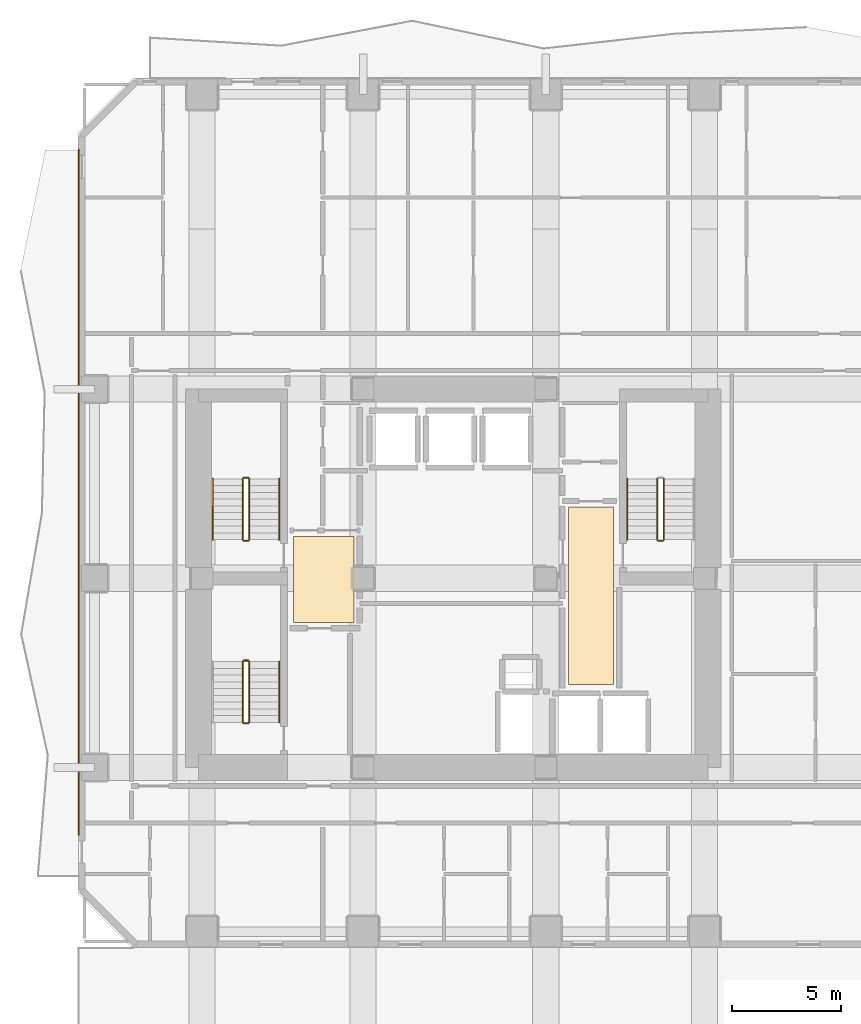
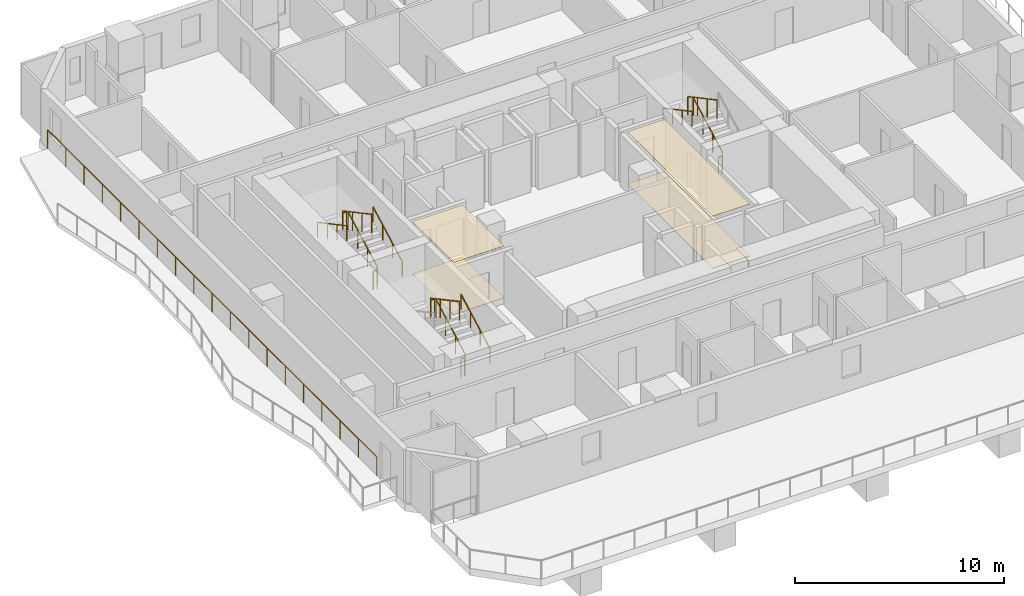
# One storey, part 9 of 11: 16 railings, 4 coverings.
"""IFC4 building model written with IfcOpenShell, lengths in metres."""

from ifc_helpers import new_model, si_unit, direction, frame, origin, origin_2d, place, context, subcontext, project, spatial, polyline, rectangle, outline, extrude, material, layer, layer_set, type_object, element, save


model = new_model("IFC4")

# Units and contexts
model_context = context("Model", 3, precision=1e-05, world=origin(), true_north=direction((0.0, 1.0)))
body_context = subcontext(model_context, "Body", "Model", "MODEL_VIEW")
ifc_project = project(units=[si_unit("LENGTHUNIT", "METRE"), si_unit("AREAUNIT", "SQUARE_METRE"), si_unit("VOLUMEUNIT", "CUBIC_METRE"), si_unit("PLANEANGLEUNIT", "RADIAN"), si_unit("MASSUNIT", "GRAM", prefix="KILO")], contexts=[model_context])

# Site, building, storey
site_placement = place(None, origin())
site = spatial("IfcSite", under=ifc_project, at=site_placement, CompositionType="ELEMENT")
building_placement = place(site_placement, origin())
building = spatial("IfcBuilding", under=site, at=building_placement, Name="Solanera Arch Residences", CompositionType="ELEMENT")
storey_placement = place(building_placement, frame((0.0, 0.0, 61.840087890625)))
storey = spatial("IfcBuildingStorey", under=building, at=storey_placement, Name="L17", CompositionType="ELEMENT", Elevation=61.840087890625)

# Railing
ifc_material_1 = material(Name="Steel S355 (ASTM A992 / A572 Grade 50)", Category="steel")
railing_type_1 = type_object("IfcRailingType", Name="Balustrade Railing BL-1100", PredefinedType="BALUSTRADE", material=ifc_material_1)
railing_1_placement = place(storey_placement, frame((7.719970703125, 18.916015625, 0.0)))
element("IfcRailing", 1, at=railing_1_placement, inside=storey, type_object=railing_type_1, Name="L17 W Balcony Balustrade 2", PredefinedType="BALUSTRADE", context=body_context, shape_type="SweptSolid", body=[
    extrude(rectangle(XDim=0.048095703125, YDim=0.048095703125, at=origin_2d()), frame((0.0, 0.0, 1.09619140625), z_axis=(0.0, 1.0, 0.0), x_axis=(-1.0, 0.0, 0.0)), (0.0, 0.0, 1.0), 31.48388671875),
    extrude(rectangle(XDim=0.0419921875, YDim=0.0419921875, at=origin_2d()), origin(), (0.0, 0.0, 1.0), 1.072021484375),
    extrude(rectangle(XDim=0.0419921875, YDim=0.0419921875, at=origin_2d()), frame((0.0, 1.7490234375, 0.0)), (0.0, 0.0, 1.0), 1.072021484375),
    extrude(rectangle(XDim=0.0419921875, YDim=0.0419921875, at=origin_2d()), frame((0.0, 3.498291015625, 0.0)), (0.0, 0.0, 1.0), 1.072021484375),
    extrude(rectangle(XDim=0.0419921875, YDim=0.0419921875, at=origin_2d()), frame((0.0, 5.247314453125, 0.0)), (0.0, 0.0, 1.0), 1.072021484375),
    extrude(rectangle(XDim=0.0419921875, YDim=0.0419921875, at=origin_2d()), frame((0.0, 6.996337890625, 0.0)), (0.0, 0.0, 1.0), 1.072021484375),
    extrude(rectangle(XDim=0.0419921875, YDim=0.0419921875, at=origin_2d()), frame((0.0, 8.74560546875, 0.0)), (0.0, 0.0, 1.0), 1.072021484375),
    extrude(rectangle(XDim=0.0419921875, YDim=0.0419921875, at=origin_2d()), frame((0.0, 10.49462890625, 0.0)), (0.0, 0.0, 1.0), 1.072021484375),
    extrude(rectangle(XDim=0.0419921875, YDim=0.0419921875, at=origin_2d()), frame((0.0, 12.24365234375, 0.0)), (0.0, 0.0, 1.0), 1.072021484375),
    extrude(rectangle(XDim=0.0419921875, YDim=0.0419921875, at=origin_2d()), frame((0.0, 13.992919921875, 0.0)), (0.0, 0.0, 1.0), 1.072021484375),
    extrude(rectangle(XDim=0.0419921875, YDim=0.0419921875, at=origin_2d()), frame((0.0, 15.741943359375, 0.0)), (0.0, 0.0, 1.0), 1.072021484375),
    extrude(rectangle(XDim=0.0419921875, YDim=0.0419921875, at=origin_2d()), frame((0.0, 17.490966796875, 0.0)), (0.0, 0.0, 1.0), 1.072021484375),
    extrude(rectangle(XDim=0.0419921875, YDim=0.0419921875, at=origin_2d()), frame((0.0, 19.240234375, 0.0)), (0.0, 0.0, 1.0), 1.072021484375),
    extrude(rectangle(XDim=0.0419921875, YDim=0.0419921875, at=origin_2d()), frame((0.0, 20.9892578125, 0.0)), (0.0, 0.0, 1.0), 1.072021484375),
    extrude(rectangle(XDim=0.0419921875, YDim=0.0419921875, at=origin_2d()), frame((0.0, 22.73828125, 0.0)), (0.0, 0.0, 1.0), 1.072021484375),
    extrude(rectangle(XDim=0.0419921875, YDim=0.0419921875, at=origin_2d()), frame((0.0, 24.487548828125, 0.0)), (0.0, 0.0, 1.0), 1.072021484375),
    extrude(rectangle(XDim=0.0419921875, YDim=0.0419921875, at=origin_2d()), frame((0.0, 26.236572265625, 0.0)), (0.0, 0.0, 1.0), 1.072021484375),
    extrude(rectangle(XDim=0.0419921875, YDim=0.0419921875, at=origin_2d()), frame((0.0, 27.985595703125, 0.0)), (0.0, 0.0, 1.0), 1.072021484375),
    extrude(rectangle(XDim=0.0419921875, YDim=0.0419921875, at=origin_2d()), frame((0.0, 29.73486328125, 0.0)), (0.0, 0.0, 1.0), 1.072021484375),
    extrude(rectangle(XDim=0.0419921875, YDim=0.0419921875, at=origin_2d()), frame((0.0, 31.48388671875, 0.0)), (0.0, 0.0, 1.0), 1.072021484375),
])

# Coverings
ifc_material_2 = material(Name="Porcelain Acoustic Floor Tile", Category="ceramic")
ifc_layer_1 = layer(ifc_material_2, 0.02001953125)
ifc_layer_set_1 = layer_set([ifc_layer_1], Name="Porcelain Acoustic Floor Tile")
covering_type_1 = type_object("IfcCoveringType", Name="Porcelain Acoustic Floor Finish FLR-20", PredefinedType="FLOORING", material=ifc_layer_set_1)
covering_1_placement = place(storey_placement, origin())
element("IfcCovering", 2, at=covering_1_placement, inside=storey, type_object=covering_type_1, Name="L17-FFL-W Porcelain Floor Finish", PredefinedType="FLOORING", context=body_context, shape_type="SweptSolid", body=[
    extrude(outline(polyline([(20.375, 28.675048828125), (17.594970703125, 28.675048828125), (17.594970703125, 32.625), (20.375, 32.625), (20.375, 28.675048828125)])), origin(), (0.0, 0.0, 1.0), 0.02001953125),
])
covering_2_placement = place(storey_placement, origin())
element("IfcCovering", 3, at=covering_2_placement, inside=storey, type_object=covering_type_1, Name="L17-FFL-E Porcelain Floor Finish", PredefinedType="FLOORING", context=body_context, shape_type="SweptSolid", body=[
    extrude(outline(polyline([(32.304931640625, 25.824951171875), (30.25, 25.824951171875), (30.25, 33.97509765625), (32.304931640625, 33.97509765625), (32.304931640625, 25.824951171875)])), origin(), (0.0, 0.0, 1.0), 0.02001953125),
])

# Railings
ifc_material_3 = material(Name="Steel S355 (ASTM A992 / A572 Grade 50)", Category="steel")
railing_type_2 = type_object("IfcRailingType", Name="Stair Guardrail GR-1100", PredefinedType="GUARDRAIL", material=ifc_material_3)
railing_2_placement = place(storey_placement, frame((15.570068359375, 32.47998046875, 0.15087890625)))
element("IfcRailing", 4, at=railing_2_placement, inside=storey, type_object=railing_type_2, Name="L17 ST-T1 stair guard 1", PredefinedType="GUARDRAIL", context=body_context, shape_type="SweptSolid", body=[
    extrude(rectangle(XDim=0.048095703125, YDim=0.048095703125, at=origin_2d()), frame((0.0, 0.0, 1.076171875), z_axis=(0.0, 0.881548766853, 0.472092969298), x_axis=(-1.0, 0.0, 0.0)), (0.0, 0.0, 1.0), 3.1650390625),
    extrude(rectangle(XDim=0.0419921875, YDim=0.0419921875, at=origin_2d()), origin(), (0.0, 0.0, 1.0), 1.052001953125),
    extrude(rectangle(XDim=0.0419921875, YDim=0.0419921875, at=origin_2d()), frame((0.0, 0.929931640625, 0.498046875)), (0.0, 0.0, 1.0), 1.052001953125),
    extrude(rectangle(XDim=0.0419921875, YDim=0.0419921875, at=origin_2d()), frame((0.0, 1.860107421875, 0.99609375)), (0.0, 0.0, 1.0), 1.052001953125),
    extrude(rectangle(XDim=0.0419921875, YDim=0.0419921875, at=origin_2d()), frame((0.0, 2.7900390625, 1.494140625)), (0.0, 0.0, 1.0), 1.052001953125),
])
railing_3_placement = place(storey_placement, frame((15.52001953125, 35.320068359375, 1.64501953125)))
element("IfcRailing", 5, at=railing_3_placement, inside=storey, type_object=railing_type_2, Name="L17 ST-T1 stair guard 2", PredefinedType="GUARDRAIL", context=body_context, shape_type="SweptSolid", body=[
    extrude(rectangle(XDim=0.048095703125, YDim=0.048095703125, at=origin_2d()), frame((0.0, 0.0, 1.076171875), z_axis=(-1.0, 0.0, 0.0), x_axis=(0.0, -1.0, 0.0)), (0.0, 0.0, 1.0), 0.199951171875),
    extrude(rectangle(XDim=0.0419921875, YDim=0.0419921875, at=origin_2d()), origin(), (0.0, 0.0, 1.0), 1.052001953125),
    extrude(rectangle(XDim=0.0419921875, YDim=0.0419921875, at=origin_2d()), frame((-0.199951171875, 0.0, 0.0)), (0.0, 0.0, 1.0), 1.052001953125),
])
railing_4_placement = place(storey_placement, frame((15.27001953125, 35.27001953125, 1.810791015625)))
element("IfcRailing", 6, at=railing_4_placement, inside=storey, type_object=railing_type_2, Name="L17 ST-T1 stair guard 3", PredefinedType="GUARDRAIL", context=body_context, shape_type="SweptSolid", body=[
    extrude(rectangle(XDim=0.048095703125, YDim=0.048095703125, at=origin_2d()), frame((0.0, 0.0, 1.076171875), z_axis=(0.0, -0.881548766853, 0.472092969298), x_axis=(1.0, 0.0, 0.0)), (0.0, 0.0, 1.0), 3.1650390625),
    extrude(rectangle(XDim=0.0419921875, YDim=0.0419921875, at=origin_2d()), origin(), (0.0, 0.0, 1.0), 1.052001953125),
    extrude(rectangle(XDim=0.0419921875, YDim=0.0419921875, at=origin_2d()), frame((0.0, -0.929931640625, 0.498046875)), (0.0, 0.0, 1.0), 1.052001953125),
    extrude(rectangle(XDim=0.0419921875, YDim=0.0419921875, at=origin_2d()), frame((0.0, -1.860107421875, 0.99609375)), (0.0, 0.0, 1.0), 1.052001953125),
    extrude(rectangle(XDim=0.0419921875, YDim=0.0419921875, at=origin_2d()), frame((0.0, -2.7900390625, 1.494140625)), (0.0, 0.0, 1.0), 1.052001953125),
])
railing_5_placement = place(storey_placement, frame((15.52001953125, 32.429931640625, -0.01513671875)))
element("IfcRailing", 7, at=railing_5_placement, inside=storey, type_object=railing_type_2, Name="L17 ST-T1 stair guard 4", PredefinedType="GUARDRAIL", context=body_context, shape_type="SweptSolid", body=[
    extrude(rectangle(XDim=0.048095703125, YDim=0.048095703125, at=origin_2d()), frame((0.0, 0.0, 1.076171875), z_axis=(-1.0, 0.0, 0.0), x_axis=(0.0, -1.0, 0.0)), (0.0, 0.0, 1.0), 0.199951171875),
    extrude(rectangle(XDim=0.0419921875, YDim=0.0419921875, at=origin_2d()), origin(), (0.0, 0.0, 1.0), 1.052001953125),
    extrude(rectangle(XDim=0.0419921875, YDim=0.0419921875, at=origin_2d()), frame((-0.199951171875, 0.0, 0.0)), (0.0, 0.0, 1.0), 1.052001953125),
])
railing_6_placement = place(storey_placement, frame((34.6298828125, 32.47998046875, 0.15087890625)))
element("IfcRailing", 8, at=railing_6_placement, inside=storey, type_object=railing_type_2, Name="L17 ST-T2 stair guard 1", PredefinedType="GUARDRAIL", context=body_context, shape_type="SweptSolid", body=[
    extrude(rectangle(XDim=0.048095703125, YDim=0.048095703125, at=origin_2d()), frame((0.0, 0.0, 1.076171875), z_axis=(0.0, 0.881548766853, 0.472092969298), x_axis=(-1.0, 0.0, 0.0)), (0.0, 0.0, 1.0), 3.1650390625),
    extrude(rectangle(XDim=0.0419921875, YDim=0.0419921875, at=origin_2d()), origin(), (0.0, 0.0, 1.0), 1.052001953125),
    extrude(rectangle(XDim=0.0419921875, YDim=0.0419921875, at=origin_2d()), frame((0.0, 0.929931640625, 0.498046875)), (0.0, 0.0, 1.0), 1.052001953125),
    extrude(rectangle(XDim=0.0419921875, YDim=0.0419921875, at=origin_2d()), frame((0.0, 1.860107421875, 0.99609375)), (0.0, 0.0, 1.0), 1.052001953125),
    extrude(rectangle(XDim=0.0419921875, YDim=0.0419921875, at=origin_2d()), frame((0.0, 2.7900390625, 1.494140625)), (0.0, 0.0, 1.0), 1.052001953125),
])
railing_7_placement = place(storey_placement, frame((34.330078125, 35.27001953125, 1.810791015625)))
element("IfcRailing", 9, at=railing_7_placement, inside=storey, type_object=railing_type_2, Name="L17 ST-T2 stair guard 3", PredefinedType="GUARDRAIL", context=body_context, shape_type="SweptSolid", body=[
    extrude(rectangle(XDim=0.048095703125, YDim=0.048095703125, at=origin_2d()), frame((0.0, 0.0, 1.076171875), z_axis=(0.0, -0.881548766853, 0.472092969298), x_axis=(1.0, 0.0, 0.0)), (0.0, 0.0, 1.0), 3.1650390625),
    extrude(rectangle(XDim=0.0419921875, YDim=0.0419921875, at=origin_2d()), origin(), (0.0, 0.0, 1.0), 1.052001953125),
    extrude(rectangle(XDim=0.0419921875, YDim=0.0419921875, at=origin_2d()), frame((0.0, -0.929931640625, 0.498046875)), (0.0, 0.0, 1.0), 1.052001953125),
    extrude(rectangle(XDim=0.0419921875, YDim=0.0419921875, at=origin_2d()), frame((0.0, -1.860107421875, 0.99609375)), (0.0, 0.0, 1.0), 1.052001953125),
    extrude(rectangle(XDim=0.0419921875, YDim=0.0419921875, at=origin_2d()), frame((0.0, -2.7900390625, 1.494140625)), (0.0, 0.0, 1.0), 1.052001953125),
])
railing_8_placement = place(storey_placement, frame((34.580078125, 32.429931640625, -0.01513671875)))
element("IfcRailing", 10, at=railing_8_placement, inside=storey, type_object=railing_type_2, Name="L17 ST-T2 stair guard 4", PredefinedType="GUARDRAIL", context=body_context, shape_type="SweptSolid", body=[
    extrude(rectangle(XDim=0.048095703125, YDim=0.048095703125, at=origin_2d()), frame((0.0, 0.0, 1.076171875), z_axis=(-1.0, 0.0, 0.0), x_axis=(0.0, -1.0, 0.0)), (0.0, 0.0, 1.0), 0.2001953125),
    extrude(rectangle(XDim=0.0419921875, YDim=0.0419921875, at=origin_2d()), origin(), (0.0, 0.0, 1.0), 1.052001953125),
    extrude(rectangle(XDim=0.0419921875, YDim=0.0419921875, at=origin_2d()), frame((-0.2001953125, 0.0, 0.0)), (0.0, 0.0, 1.0), 1.052001953125),
])
railing_9_placement = place(storey_placement, frame((15.570068359375, 24.080078125, 0.15087890625)))
element("IfcRailing", 11, at=railing_9_placement, inside=storey, type_object=railing_type_2, Name="L17 ST-T3 stair guard 1", PredefinedType="GUARDRAIL", context=body_context, shape_type="SweptSolid", body=[
    extrude(rectangle(XDim=0.048095703125, YDim=0.048095703125, at=origin_2d()), frame((0.0, 0.0, 1.076171875), z_axis=(0.0, 0.881548766853, 0.472092969298), x_axis=(-1.0, 0.0, 0.0)), (0.0, 0.0, 1.0), 3.1650390625),
    extrude(rectangle(XDim=0.0419921875, YDim=0.0419921875, at=origin_2d()), origin(), (0.0, 0.0, 1.0), 1.052001953125),
    extrude(rectangle(XDim=0.0419921875, YDim=0.0419921875, at=origin_2d()), frame((0.0, 0.929931640625, 0.498046875)), (0.0, 0.0, 1.0), 1.052001953125),
    extrude(rectangle(XDim=0.0419921875, YDim=0.0419921875, at=origin_2d()), frame((0.0, 1.860107421875, 0.99609375)), (0.0, 0.0, 1.0), 1.052001953125),
    extrude(rectangle(XDim=0.0419921875, YDim=0.0419921875, at=origin_2d()), frame((0.0, 2.7900390625, 1.494140625)), (0.0, 0.0, 1.0), 1.052001953125),
])
railing_10_placement = place(storey_placement, frame((15.52001953125, 26.919921875, 1.64501953125)))
element("IfcRailing", 12, at=railing_10_placement, inside=storey, type_object=railing_type_2, Name="L17 ST-T3 stair guard 2", PredefinedType="GUARDRAIL", context=body_context, shape_type="SweptSolid", body=[
    extrude(rectangle(XDim=0.048095703125, YDim=0.048095703125, at=origin_2d()), frame((0.0, 0.0, 1.076171875), z_axis=(-1.0, 0.0, 0.0), x_axis=(0.0, -1.0, 0.0)), (0.0, 0.0, 1.0), 0.199951171875),
    extrude(rectangle(XDim=0.0419921875, YDim=0.0419921875, at=origin_2d()), origin(), (0.0, 0.0, 1.0), 1.052001953125),
    extrude(rectangle(XDim=0.0419921875, YDim=0.0419921875, at=origin_2d()), frame((-0.199951171875, 0.0, 0.0)), (0.0, 0.0, 1.0), 1.052001953125),
])
railing_11_placement = place(storey_placement, frame((15.27001953125, 26.8701171875, 1.810791015625)))
element("IfcRailing", 13, at=railing_11_placement, inside=storey, type_object=railing_type_2, Name="L17 ST-T3 stair guard 3", PredefinedType="GUARDRAIL", context=body_context, shape_type="SweptSolid", body=[
    extrude(rectangle(XDim=0.048095703125, YDim=0.048095703125, at=origin_2d()), frame((0.0, 0.0, 1.076171875), z_axis=(0.0, -0.881548766853, 0.472092969298), x_axis=(1.0, 0.0, 0.0)), (0.0, 0.0, 1.0), 3.1650390625),
    extrude(rectangle(XDim=0.0419921875, YDim=0.0419921875, at=origin_2d()), origin(), (0.0, 0.0, 1.0), 1.052001953125),
    extrude(rectangle(XDim=0.0419921875, YDim=0.0419921875, at=origin_2d()), frame((0.0, -0.929931640625, 0.498046875)), (0.0, 0.0, 1.0), 1.052001953125),
    extrude(rectangle(XDim=0.0419921875, YDim=0.0419921875, at=origin_2d()), frame((0.0, -1.860107421875, 0.99609375)), (0.0, 0.0, 1.0), 1.052001953125),
    extrude(rectangle(XDim=0.0419921875, YDim=0.0419921875, at=origin_2d()), frame((0.0, -2.7900390625, 1.494140625)), (0.0, 0.0, 1.0), 1.052001953125),
])
railing_12_placement = place(storey_placement, frame((15.52001953125, 24.030029296875, -0.01513671875)))
element("IfcRailing", 14, at=railing_12_placement, inside=storey, type_object=railing_type_2, Name="L17 ST-T3 stair guard 4", PredefinedType="GUARDRAIL", context=body_context, shape_type="SweptSolid", body=[
    extrude(rectangle(XDim=0.048095703125, YDim=0.048095703125, at=origin_2d()), frame((0.0, 0.0, 1.076171875), z_axis=(-1.0, 0.0, 0.0), x_axis=(0.0, -1.0, 0.0)), (0.0, 0.0, 1.0), 0.199951171875),
    extrude(rectangle(XDim=0.0419921875, YDim=0.0419921875, at=origin_2d()), origin(), (0.0, 0.0, 1.0), 1.052001953125),
    extrude(rectangle(XDim=0.0419921875, YDim=0.0419921875, at=origin_2d()), frame((-0.199951171875, 0.0, 0.0)), (0.0, 0.0, 1.0), 1.052001953125),
])
ifc_material_4 = material(Name="Steel S355 (ASTM A992 / A572 Grade 50)", Category="steel")
railing_type_3 = type_object("IfcRailingType", Name="Stair Wall Handrail HR-920", PredefinedType="HANDRAIL", material=ifc_material_4)
railing_13_placement = place(storey_placement, frame((16.949951171875, 32.47998046875, 0.166015625)))
element("IfcRailing", 15, at=railing_13_placement, inside=storey, type_object=railing_type_3, Name="L17 ST-T1 stair handrail 1", PredefinedType="HANDRAIL", context=body_context, shape_type="SweptSolid", body=[
    extrude(rectangle(XDim=0.048095703125, YDim=0.048095703125, at=origin_2d()), frame((0.0, 0.0, 0.8759765625), z_axis=(0.0, 0.881580869306, 0.472033018838), x_axis=(-1.0, 0.0, 0.0)), (0.0, 0.0, 1.0), 3.164794921875),
    extrude(rectangle(XDim=0.0419921875, YDim=0.0419921875, at=origin_2d()), origin(), (0.0, 0.0, 1.0), 0.851806640625),
    extrude(rectangle(XDim=0.0419921875, YDim=0.0419921875, at=origin_2d()), frame((0.0, 0.929931640625, 0.498046875)), (0.0, 0.0, 1.0), 0.851806640625),
    extrude(rectangle(XDim=0.0419921875, YDim=0.0419921875, at=origin_2d()), frame((0.0, 1.860107421875, 0.995849609375)), (0.0, 0.0, 1.0), 0.851806640625),
    extrude(rectangle(XDim=0.0419921875, YDim=0.0419921875, at=origin_2d()), frame((0.0, 2.7900390625, 1.493896484375)), (0.0, 0.0, 1.0), 0.851806640625),
])
for number, where, name in (
    (16, (13.889892578125, 35.27001953125, 1.825927734375), "L17 ST-T1 stair handrail 2"),
    (17, (32.949951171875, 35.27001953125, 1.825927734375), "L17 ST-T2 stair handrail 2"),
):
    element("IfcRailing", number, at=place(storey_placement, frame(where)), inside=storey, type_object=railing_type_3, Name=name, PredefinedType="HANDRAIL", context=body_context, shape_type="SweptSolid", body=[
        extrude(rectangle(XDim=0.048095703125, YDim=0.048095703125, at=origin_2d()), frame((0.0, 0.0, 0.8759765625), z_axis=(0.0, -0.881580869306, 0.472033018838), x_axis=(1.0, 0.0, 0.0)), (0.0, 0.0, 1.0), 3.164794921875),
        extrude(rectangle(XDim=0.0419921875, YDim=0.0419921875, at=origin_2d()), origin(), (0.0, 0.0, 1.0), 0.851806640625),
        extrude(rectangle(XDim=0.0419921875, YDim=0.0419921875, at=origin_2d()), frame((0.0, -0.929931640625, 0.498046875)), (0.0, 0.0, 1.0), 0.851806640625),
        extrude(rectangle(XDim=0.0419921875, YDim=0.0419921875, at=origin_2d()), frame((0.0, -1.860107421875, 0.995849609375)), (0.0, 0.0, 1.0), 0.851806640625),
        extrude(rectangle(XDim=0.0419921875, YDim=0.0419921875, at=origin_2d()), frame((0.0, -2.7900390625, 1.493896484375)), (0.0, 0.0, 1.0), 0.851806640625),
    ])
railing_14_placement = place(storey_placement, frame((16.949951171875, 24.080078125, 0.166015625)))
element("IfcRailing", 18, at=railing_14_placement, inside=storey, type_object=railing_type_3, Name="L17 ST-T3 stair handrail 1", PredefinedType="HANDRAIL", context=body_context, shape_type="SweptSolid", body=[
    extrude(rectangle(XDim=0.048095703125, YDim=0.048095703125, at=origin_2d()), frame((0.0, 0.0, 0.8759765625), z_axis=(0.0, 0.881580869306, 0.472033018838), x_axis=(-1.0, 0.0, 0.0)), (0.0, 0.0, 1.0), 3.164794921875),
    extrude(rectangle(XDim=0.0419921875, YDim=0.0419921875, at=origin_2d()), origin(), (0.0, 0.0, 1.0), 0.851806640625),
    extrude(rectangle(XDim=0.0419921875, YDim=0.0419921875, at=origin_2d()), frame((0.0, 0.929931640625, 0.498046875)), (0.0, 0.0, 1.0), 0.851806640625),
    extrude(rectangle(XDim=0.0419921875, YDim=0.0419921875, at=origin_2d()), frame((0.0, 1.860107421875, 0.995849609375)), (0.0, 0.0, 1.0), 0.851806640625),
    extrude(rectangle(XDim=0.0419921875, YDim=0.0419921875, at=origin_2d()), frame((0.0, 2.7900390625, 1.493896484375)), (0.0, 0.0, 1.0), 0.851806640625),
])

# Coverings
ifc_material_5 = material(Name="Mineral Fibre Acoustic Ceiling Board", Category="gypsum")
ifc_layer_2 = layer(ifc_material_5, 0.02490234375)
ifc_layer_set_2 = layer_set([ifc_layer_2], Name="Mineral Fibre Acoustic Ceiling Board")
covering_type_2 = type_object("IfcCoveringType", Name="Suspended Acoustic Ceiling Board CLG-25", PredefinedType="CEILING", material=ifc_layer_set_2)
covering_3_placement = place(storey_placement, frame((0.0, 0.0, 3.034912109375)))
element("IfcCovering", 19, at=covering_3_placement, inside=storey, type_object=covering_type_2, Name="L17-FFL-W Acoustic Ceiling", PredefinedType="CEILING", context=body_context, shape_type="SweptSolid", body=[
    extrude(outline(polyline([(20.375, 28.675048828125), (17.594970703125, 28.675048828125), (17.594970703125, 32.625), (20.375, 32.625), (20.375, 28.675048828125)])), origin(), (0.0, 0.0, 1.0), 0.02490234375),
])
covering_4_placement = place(storey_placement, frame((0.0, 0.0, 3.034912109375)))
element("IfcCovering", 20, at=covering_4_placement, inside=storey, type_object=covering_type_2, Name="L17-FFL-E Acoustic Ceiling", PredefinedType="CEILING", context=body_context, shape_type="SweptSolid", body=[
    extrude(outline(polyline([(32.304931640625, 25.824951171875), (30.25, 25.824951171875), (30.25, 33.97509765625), (32.304931640625, 33.97509765625), (32.304931640625, 25.824951171875)])), origin(), (0.0, 0.0, 1.0), 0.02490234375),
])

save(model, "model.ifc")
